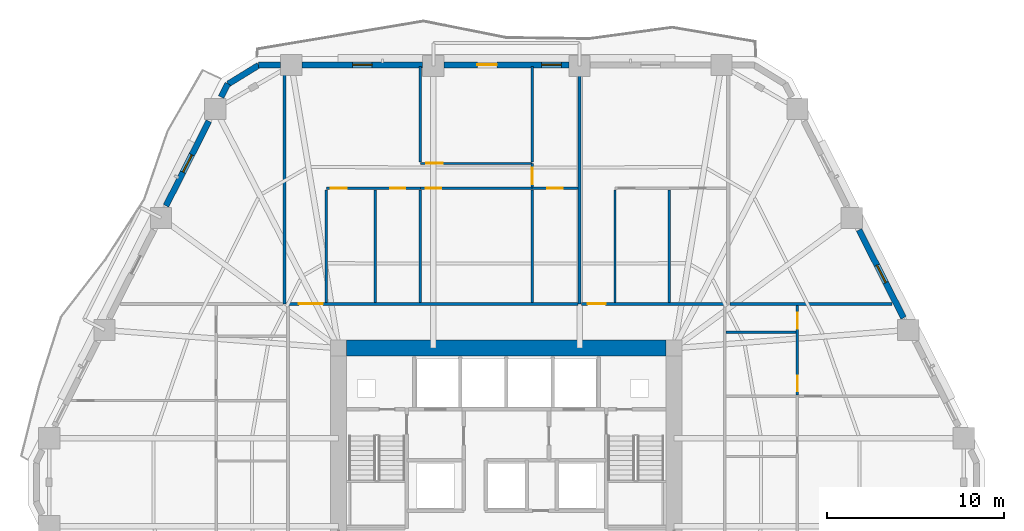
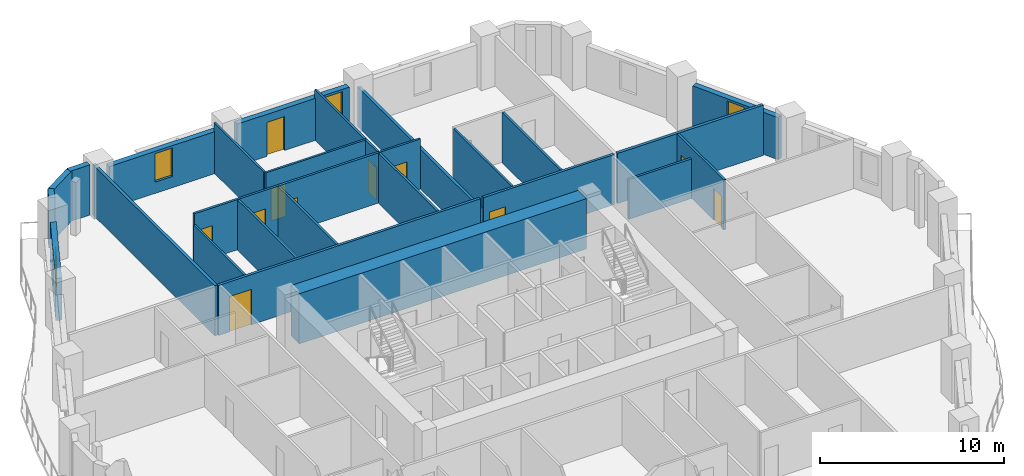
# One storey, part 7 of 14: 28 walls, 11 doors, 4 windows, 15 openings.
"""IFC4 building model written with IfcOpenShell, lengths in metres."""

from ifc_helpers import new_model, si_unit, direction, frame, frame_2d, origin, place, context, subcontext, project, spatial, rectangle, extrude, material, layer, layer_set, type_object, element, fill, save


model = new_model("IFC4")

# Units and contexts
model_context = context("Model", 3, precision=1e-05, world=origin(), true_north=direction((0.0, 1.0)))
body_context = subcontext(model_context, "Body", "Model", "MODEL_VIEW")
ifc_project = project(units=[si_unit("LENGTHUNIT", "METRE"), si_unit("AREAUNIT", "SQUARE_METRE"), si_unit("VOLUMEUNIT", "CUBIC_METRE"), si_unit("PLANEANGLEUNIT", "RADIAN"), si_unit("MASSUNIT", "GRAM", prefix="KILO")], contexts=[model_context])

# Site, building, storey
site_placement = place(None, origin())
site = spatial("IfcSite", under=ifc_project, at=site_placement, CompositionType="ELEMENT")
building_placement = place(site_placement, origin())
building = spatial("IfcBuilding", under=site, at=building_placement, Name="Cinnabar Lancet Tower", CompositionType="ELEMENT")
storey_placement = place(building_placement, frame((0.0, 0.0, 53.300048828125)))
storey = spatial("IfcBuildingStorey", under=building, at=storey_placement, Name="L13", CompositionType="ELEMENT", Elevation=53.300048828125)

# Wall, opening, door
ifc_material_1 = material(Name="Acoustic twin-stud gypsum partition", Category="gypsum")
ifc_layer_1 = layer(ifc_material_1, 0.159912109375)
ifc_layer_set_1 = layer_set([ifc_layer_1], Name="Acoustic twin-stud gypsum partition")
wall_type_1 = type_object("IfcWallType", Name="ARC-WL-CORR-160", PredefinedType="PARTITIONING", material=ifc_layer_set_1)
wall_1_placement = place(storey_placement, frame((19.9951171875, 35.85009765625, 0.0), z_axis=(0.0, 0.0, 1.0), x_axis=(1.0, 0.0, 0.0)))
wall_1 = element("IfcWall", 1, at=wall_1_placement, inside=storey, type_object=wall_type_1, Name="L13 Unit N01 Corridor Wall", PredefinedType="PARTITIONING", context=body_context, shape_type="SweptSolid", body=[
    extrude(rectangle(XDim=16.431884765625, YDim=0.159912109375, at=frame_2d((8.2158203125, 0.0))), origin(), (0.0, 0.0, 1.0), 3.329833984375),
])
opening_1_placement = place(wall_1_placement, frame((0.705078125, 0.0, 0.0)))
opening_1 = element("IfcOpeningElement", 2, at=opening_1_placement, cuts=wall_1, Name="Opening UD-02", PredefinedType="OPENING", context=body_context, shape_type="SweptSolid", body=[
    extrude(rectangle(XDim=1.35009765625, YDim=2.35009765625, at=frame_2d((0.675048828125, 1.175048828125))), frame((0.0, 0.08984375, 0.0), z_axis=(0.0, -1.0, 0.0), x_axis=(1.0, 0.0, 0.0)), (0.0, 0.0, 1.0), 0.179931640625),
])
ifc_material_2 = material(Name="Double-leaf solid timber penthouse entrance door", Category="wood")
door_type_1 = type_object("IfcDoorType", Name="ARC-DR-UNIT-PH", OperationType="NOTDEFINED", PredefinedType="DOOR", material=ifc_material_2)
door_1_placement = place(opening_1_placement, origin())
door_1 = element("IfcDoor", 3, at=door_1_placement, inside=storey, type_object=door_type_1, Name="DR-L13-N01-ENT", OperationType="SINGLE_SWING_RIGHT", OverallHeight=2.35009765625, OverallWidth=1.35009765625, PredefinedType="DOOR", context=body_context, shape_type="SweptSolid", body=[
    extrude(rectangle(XDim=1.35009765625, YDim=2.35009765625, at=frame_2d((0.675048828125, 1.175048828125))), frame((0.0, 0.02490234375, 0.0), z_axis=(0.0, -1.0, 0.0), x_axis=(1.0, 0.0, 0.0)), (0.0, 0.0, 1.0), 0.050048828125),
])
fill(opening_1, door_1)

wall_2_placement = place(storey_placement, frame((36.616943359375, 35.85009765625, 0.0), z_axis=(0.0, 0.0, 1.0), x_axis=(1.0, 0.0, 0.0)))
wall_2 = element("IfcWall", 4, at=wall_2_placement, inside=storey, type_object=wall_type_1, Name="L13 Unit N02 Corridor Wall", PredefinedType="PARTITIONING", context=body_context, shape_type="SweptSolid", body=[
    extrude(rectangle(XDim=8.18798828125, YDim=0.159912109375, at=frame_2d((4.093994140625, 0.0))), origin(), (0.0, 0.0, 1.0), 3.329833984375),
])
opening_2_placement = place(wall_2_placement, frame((0.35498046875, 0.0, 0.0)))
opening_2 = element("IfcOpeningElement", 5, at=opening_2_placement, cuts=wall_2, Name="Opening UD-01", PredefinedType="OPENING", context=body_context, shape_type="SweptSolid", body=[
    extrude(rectangle(XDim=1.02001953125, YDim=2.25, at=frame_2d((0.510009765625, 1.125))), frame((0.0, 0.08984375, 0.0), z_axis=(0.0, -1.0, 0.0), x_axis=(1.0, 0.0, 0.0)), (0.0, 0.0, 1.0), 0.179931640625),
])
ifc_material_3 = material(Name="Solid timber fire-rated apartment entrance door", Category="wood")
door_type_2 = type_object("IfcDoorType", Name="ARC-DR-UNIT", OperationType="NOTDEFINED", PredefinedType="DOOR", material=ifc_material_3)
door_2_placement = place(opening_2_placement, origin())
door_2 = element("IfcDoor", 6, at=door_2_placement, inside=storey, type_object=door_type_2, Name="DR-L13-N02-ENT", OperationType="SINGLE_SWING_LEFT", OverallHeight=2.25, OverallWidth=1.02001953125, PredefinedType="DOOR", context=body_context, shape_type="SweptSolid", body=[
    extrude(rectangle(XDim=1.02001953125, YDim=2.25, at=frame_2d((0.510009765625, 1.125))), frame((0.0, 0.02490234375, 0.0), z_axis=(0.0, -1.0, 0.0), x_axis=(1.0, 0.0, 0.0)), (0.0, 0.0, 1.0), 0.050048828125),
])
fill(opening_2, door_2)

# Walls
ifc_material_4 = material(Name="Fire-rated twin-frame acoustic drywall", Category="gypsum")
ifc_layer_2 = layer(ifc_material_4, 0.179931640625)
ifc_layer_set_2 = layer_set([ifc_layer_2], Name="Fire-rated twin-frame acoustic drywall")
wall_type_2 = type_object("IfcWallType", Name="ARC-WL-PARTY-180", PredefinedType="PARTITIONING", material=ifc_layer_set_2)
wall_3_placement = place(storey_placement, frame((19.89990234375, 35.85009765625, 0.0), z_axis=(0.0, 0.0, 1.0), x_axis=(0.0, 1.0, 0.0)))
element("IfcWall", 7, at=wall_3_placement, inside=storey, type_object=wall_type_2, Name="PW-L13-NPTY-199", PredefinedType="PARTITIONING", context=body_context, shape_type="SweptSolid", body=[
    extrude(rectangle(XDim=13.294921875, YDim=0.179931640625, at=frame_2d((6.6474609375, 0.0))), origin(), (0.0, 0.0, 1.0), 3.329833984375),
])
wall_4_placement = place(storey_placement, frame((36.52197265625, 35.85009765625, 0.0), z_axis=(0.0, 0.0, 1.0), x_axis=(0.0, 1.0, 0.0)))
element("IfcWall", 8, at=wall_4_placement, inside=storey, type_object=wall_type_2, Name="PW-L13-NPTY-365", PredefinedType="PARTITIONING", context=body_context, shape_type="SweptSolid", body=[
    extrude(rectangle(XDim=13.294921875, YDim=0.179931640625, at=frame_2d((6.6474609375, 0.0))), origin(), (0.0, 0.0, 1.0), 2.636962890625),
])
wall_5_placement = place(storey_placement, frame((44.9951171875, 35.85009765625, 0.0), z_axis=(0.0, 0.0, 1.0), x_axis=(1.0, 0.0, 0.0)))
element("IfcWall", 9, at=wall_5_placement, inside=storey, type_object=wall_type_2, Name="PW-L13-ENB", PredefinedType="PARTITIONING", context=body_context, shape_type="SweptSolid", body=[
    extrude(rectangle(XDim=9.139892578125, YDim=0.179931640625, at=frame_2d((4.56982421875, 0.0))), origin(), (0.0, 0.0, 1.0), 3.329833984375),
])
ifc_material_5 = material(Name="Gypsum plasterboard stud partition", Category="gypsum")
ifc_layer_3 = layer(ifc_material_5, 0.125)
ifc_layer_set_3 = layer_set([ifc_layer_3], Name="Gypsum plasterboard stud partition")
wall_type_3 = type_object("IfcWallType", Name="ARC-WL-UNIT-125", PredefinedType="PARTITIONING", material=ifc_layer_set_3)
wall_6_placement = place(storey_placement, frame((22.25, 35.93505859375, 0.0), z_axis=(0.0, 0.0, 1.0), x_axis=(0.0, 1.0, 0.0)))
element("IfcWall", 10, at=wall_6_placement, inside=storey, type_object=wall_type_3, Name="UW-L13-N01-FOYE", PredefinedType="PARTITIONING", context=body_context, shape_type="SweptSolid", body=[
    extrude(rectangle(XDim=6.324951171875, YDim=0.125, at=frame_2d((3.16259765625, 0.0))), origin(), (0.0, 0.0, 1.0), 2.636962890625),
])

# Wall, opening, door
wall_7_placement = place(storey_placement, frame((33.85009765625, 42.364990234375, 0.0), z_axis=(0.0, 0.0, 1.0), x_axis=(1.0, 0.0, 0.0)))
wall_7 = element("IfcWall", 11, at=wall_7_placement, inside=storey, type_object=wall_type_3, Name="UW-L13-N01-SP2", PredefinedType="PARTITIONING", context=body_context, shape_type="SweptSolid", body=[
    extrude(rectangle(XDim=2.576904296875, YDim=0.125, at=frame_2d((1.28857421875, 0.0))), origin(), (0.0, 0.0, 1.0), 3.329833984375),
])
opening_3_placement = place(wall_7_placement, frame((0.863037109375, 0.0, 0.0)))
opening_3 = element("IfcOpeningElement", 12, at=opening_3_placement, cuts=wall_7, Name="Opening BD-01", PredefinedType="OPENING", context=body_context, shape_type="SweptSolid", body=[
    extrude(rectangle(XDim=0.860107421875, YDim=2.10009765625, at=frame_2d((0.43017578125, 1.050048828125))), frame((0.0, 0.072509765625, 0.0), z_axis=(0.0, -1.0, 0.0), x_axis=(1.0, 0.0, 0.0)), (0.0, 0.0, 1.0), 0.14501953125),
])
ifc_material_6 = material(Name="Moisture-resistant timber bathroom door", Category="wood")
door_type_3 = type_object("IfcDoorType", Name="ARC-DR-BATH", OperationType="NOTDEFINED", PredefinedType="DOOR", material=ifc_material_6)
door_3_placement = place(opening_3_placement, origin())
door_3 = element("IfcDoor", 13, at=door_3_placement, inside=storey, type_object=door_type_3, Name="DR-L13-N01-ENS", OperationType="SINGLE_SWING_RIGHT", OverallHeight=2.10009765625, OverallWidth=0.860107421875, PredefinedType="DOOR", context=body_context, shape_type="SweptSolid", body=[
    extrude(rectangle(XDim=0.860107421875, YDim=2.10009765625, at=frame_2d((0.43017578125, 1.050048828125))), frame((0.0, 0.02490234375, 0.0), z_axis=(0.0, -1.0, 0.0), x_axis=(1.0, 0.0, 0.0)), (0.0, 0.0, 1.0), 0.050048828125),
])
fill(opening_3, door_3)

# Wall
wall_8_placement = place(storey_placement, frame((27.5458984375, 43.830078125, 0.0), z_axis=(0.0, 0.0, 1.0), x_axis=(0.0, 1.0, 0.0)))
element("IfcWall", 14, at=wall_8_placement, inside=storey, type_object=wall_type_3, Name="UW-L13-N01-BD2W", PredefinedType="PARTITIONING", context=body_context, shape_type="SweptSolid", body=[
    extrude(rectangle(XDim=5.405029296875, YDim=0.125, at=frame_2d((2.70263671875, 0.0))), origin(), (0.0, 0.0, 1.0), 3.329833984375),
])

# Wall, opening, door
wall_9_placement = place(storey_placement, frame((27.5458984375, 43.764892578125, 0.0), z_axis=(0.0, 0.0, 1.0), x_axis=(1.0, 0.0, 0.0)))
wall_9 = element("IfcWall", 15, at=wall_9_placement, inside=storey, type_object=wall_type_3, Name="UW-L13-N01-HLN", PredefinedType="PARTITIONING", context=body_context, shape_type="SweptSolid", body=[
    extrude(rectangle(XDim=6.30419921875, YDim=0.125, at=frame_2d((3.152099609375, 0.0))), origin(), (0.0, 0.0, 1.0), 3.329833984375),
])
opening_4_placement = place(wall_9_placement, frame((0.35009765625, 0.0, 0.0)))
opening_4 = element("IfcOpeningElement", 16, at=opening_4_placement, cuts=wall_9, Name="Opening RD-01", PredefinedType="OPENING", context=body_context, shape_type="SweptSolid", body=[
    extrude(rectangle(XDim=0.919921875, YDim=2.14990234375, at=frame_2d((0.4599609375, 1.074951171875))), frame((0.0, 0.072509765625, 0.0), z_axis=(0.0, -1.0, 0.0), x_axis=(1.0, 0.0, 0.0)), (0.0, 0.0, 1.0), 0.14501953125),
])
ifc_material_7 = material(Name="Engineered timber bedroom door", Category="wood")
door_type_4 = type_object("IfcDoorType", Name="ARC-DR-ROOM", OperationType="NOTDEFINED", PredefinedType="DOOR", material=ifc_material_7)
door_4_placement = place(opening_4_placement, origin())
door_4 = element("IfcDoor", 17, at=door_4_placement, inside=storey, type_object=door_type_4, Name="DR-L13-N01-BD2", OperationType="SINGLE_SWING_LEFT", OverallHeight=2.14990234375, OverallWidth=0.919921875, PredefinedType="DOOR", context=body_context, shape_type="SweptSolid", body=[
    extrude(rectangle(XDim=0.919921875, YDim=2.14990234375, at=frame_2d((0.4599609375, 1.074951171875))), frame((0.0, 0.02490234375, 0.0), z_axis=(0.0, -1.0, 0.0), x_axis=(1.0, 0.0, 0.0)), (0.0, 0.0, 1.0), 0.050048828125),
])
fill(opening_4, door_4)

wall_10_placement = place(storey_placement, frame((33.85009765625, 42.43505859375, 0.0), z_axis=(0.0, 0.0, 1.0), x_axis=(0.0, 1.0, 0.0)))
wall_10 = element("IfcWall", 18, at=wall_10_placement, inside=storey, type_object=wall_type_3, Name="UW-L13-N01-MBE", PredefinedType="PARTITIONING", context=body_context, shape_type="SweptSolid", body=[
    extrude(rectangle(XDim=1.329833984375, YDim=0.125, at=frame_2d((0.6650390625, 0.0))), origin(), (0.0, 0.0, 1.0), 3.329833984375),
])
opening_5_placement = place(wall_10_placement, frame((0.159912109375, 0.0, 0.0)))
opening_5 = element("IfcOpeningElement", 19, at=opening_5_placement, cuts=wall_10, Name="Opening RD-01", PredefinedType="OPENING", context=body_context, shape_type="SweptSolid", body=[
    extrude(rectangle(XDim=0.919921875, YDim=2.14990234375, at=frame_2d((0.4599609375, 1.074951171875))), frame((0.0, 0.072509765625, 0.0), z_axis=(0.0, -1.0, 0.0), x_axis=(1.0, 0.0, 0.0)), (0.0, 0.0, 1.0), 0.14501953125),
])
door_5_placement = place(opening_5_placement, origin())
door_5 = element("IfcDoor", 20, at=door_5_placement, inside=storey, type_object=door_type_4, Name="DR-L13-N01-MBD", OperationType="SINGLE_SWING_LEFT", OverallHeight=2.14990234375, OverallWidth=0.919921875, PredefinedType="DOOR", context=body_context, shape_type="SweptSolid", body=[
    extrude(rectangle(XDim=0.919921875, YDim=2.14990234375, at=frame_2d((0.4599609375, 1.074951171875))), frame((0.0, 0.02490234375, 0.0), z_axis=(0.0, -1.0, 0.0), x_axis=(1.0, 0.0, 0.0)), (0.0, 0.0, 1.0), 0.050048828125),
])
fill(opening_5, door_5)

# Walls
wall_11_placement = place(storey_placement, frame((33.85009765625, 43.830078125, 0.0), z_axis=(0.0, 0.0, 1.0), x_axis=(0.0, 1.0, 0.0)))
element("IfcWall", 21, at=wall_11_placement, inside=storey, type_object=wall_type_3, Name="UW-L13-N01-MB2W", PredefinedType="PARTITIONING", context=body_context, shape_type="SweptSolid", body=[
    extrude(rectangle(XDim=5.405029296875, YDim=0.125, at=frame_2d((2.70263671875, 0.0))), origin(), (0.0, 0.0, 1.0), 3.329833984375),
])
wall_12_placement = place(storey_placement, frame((38.52197265625, 35.93505859375, 0.0), z_axis=(0.0, 0.0, 1.0), x_axis=(0.0, 1.0, 0.0)))
element("IfcWall", 22, at=wall_12_placement, inside=storey, type_object=wall_type_3, Name="UW-L13-N02-FOYE", PredefinedType="PARTITIONING", context=body_context, shape_type="SweptSolid", body=[
    extrude(rectangle(XDim=6.324951171875, YDim=0.125, at=frame_2d((3.16259765625, 0.0))), origin(), (0.0, 0.0, 1.0), 3.329833984375),
])

# Wall, openings, doors
ifc_material_8 = material(Name="Moisture-resistant cement-board plumbing wall", Category="masonry")
ifc_layer_4 = layer(ifc_material_8, 0.139892578125)
ifc_layer_set_4 = layer_set([ifc_layer_4], Name="Moisture-resistant cement-board plumbing wall")
wall_type_4 = type_object("IfcWallType", Name="ARC-WL-WET-140", PredefinedType="PLUMBINGWALL", material=ifc_layer_set_4)
wall_13_placement = place(storey_placement, frame((22.25, 42.364990234375, 0.0), z_axis=(0.0, 0.0, 1.0), x_axis=(1.0, 0.0, 0.0)))
wall_13 = element("IfcWall", 23, at=wall_13_placement, inside=storey, type_object=wall_type_4, Name="UW-L13-N01-SPL", PredefinedType="PLUMBINGWALL", context=body_context, shape_type="SweptSolid", body=[
    extrude(rectangle(XDim=5.2958984375, YDim=0.139892578125, at=frame_2d((2.64794921875, 0.0))), origin(), (0.0, 0.0, 1.0), 3.329833984375),
])
opening_6_placement = place(wall_13_placement, frame((3.60009765625, 0.0, 0.0)))
opening_6 = element("IfcOpeningElement", 24, at=opening_6_placement, cuts=wall_13, Name="Opening BD-01", PredefinedType="OPENING", context=body_context, shape_type="SweptSolid", body=[
    extrude(rectangle(XDim=0.860107421875, YDim=2.10009765625, at=frame_2d((0.43017578125, 1.050048828125))), frame((0.0, 0.079833984375, 0.0), z_axis=(0.0, -1.0, 0.0), x_axis=(1.0, 0.0, 0.0)), (0.0, 0.0, 1.0), 0.159912109375),
])
opening_7_placement = place(wall_13_placement, frame((0.260009765625, 0.0, 0.0)))
opening_7 = element("IfcOpeningElement", 25, at=opening_7_placement, cuts=wall_13, Name="Opening RD-02", PredefinedType="OPENING", context=body_context, shape_type="SweptSolid", body=[
    extrude(rectangle(XDim=0.8798828125, YDim=2.14990234375, at=frame_2d((0.43994140625, 1.074951171875))), frame((0.0, 0.079833984375, 0.0), z_axis=(0.0, -1.0, 0.0), x_axis=(1.0, 0.0, 0.0)), (0.0, 0.0, 1.0), 0.159912109375),
])
door_6_placement = place(opening_6_placement, origin())
door_6 = element("IfcDoor", 26, at=door_6_placement, inside=storey, type_object=door_type_3, Name="DR-L13-N01-BTH", OperationType="SINGLE_SWING_RIGHT", OverallHeight=2.10009765625, OverallWidth=0.860107421875, PredefinedType="DOOR", context=body_context, shape_type="SweptSolid", body=[
    extrude(rectangle(XDim=0.860107421875, YDim=2.10009765625, at=frame_2d((0.43017578125, 1.050048828125))), frame((0.0, 0.02490234375, 0.0), z_axis=(0.0, -1.0, 0.0), x_axis=(1.0, 0.0, 0.0)), (0.0, 0.0, 1.0), 0.050048828125),
])
fill(opening_6, door_6)
ifc_material_9 = material(Name="Engineered timber study door", Category="wood")
door_type_5 = type_object("IfcDoorType", Name="ARC-DR-STUDY", OperationType="NOTDEFINED", PredefinedType="DOOR", material=ifc_material_9)
door_7_placement = place(opening_7_placement, origin())
door_7 = element("IfcDoor", 27, at=door_7_placement, inside=storey, type_object=door_type_5, Name="DR-L13-N01-KIT", OperationType="SINGLE_SWING_LEFT", OverallHeight=2.14990234375, OverallWidth=0.8798828125, PredefinedType="DOOR", context=body_context, shape_type="SweptSolid", body=[
    extrude(rectangle(XDim=0.8798828125, YDim=2.14990234375, at=frame_2d((0.43994140625, 1.074951171875))), frame((0.0, 0.02490234375, 0.0), z_axis=(0.0, -1.0, 0.0), x_axis=(1.0, 0.0, 0.0)), (0.0, 0.0, 1.0), 0.050048828125),
])
fill(opening_7, door_7)

# Wall, opening, door
wall_14_placement = place(storey_placement, frame((27.5458984375, 42.364990234375, 0.0), z_axis=(0.0, 0.0, 1.0), x_axis=(1.0, 0.0, 0.0)))
wall_14 = element("IfcWall", 28, at=wall_14_placement, inside=storey, type_object=wall_type_4, Name="UW-L13-N01-SPM", PredefinedType="PLUMBINGWALL", context=body_context, shape_type="SweptSolid", body=[
    extrude(rectangle(XDim=6.30419921875, YDim=0.139892578125, at=frame_2d((3.152099609375, 0.0))), origin(), (0.0, 0.0, 1.0), 3.329833984375),
])
opening_8_placement = place(wall_14_placement, frame((0.300048828125, 0.0, 0.0)))
opening_8 = element("IfcOpeningElement", 29, at=opening_8_placement, cuts=wall_14, Name="Opening RD-02", PredefinedType="OPENING", context=body_context, shape_type="SweptSolid", body=[
    extrude(rectangle(XDim=0.8798828125, YDim=2.14990234375, at=frame_2d((0.43994140625, 1.074951171875))), frame((0.0, 0.079833984375, 0.0), z_axis=(0.0, -1.0, 0.0), x_axis=(1.0, 0.0, 0.0)), (0.0, 0.0, 1.0), 0.159912109375),
])
door_8_placement = place(opening_8_placement, origin())
door_8 = element("IfcDoor", 30, at=door_8_placement, inside=storey, type_object=door_type_5, Name="DR-L13-N01-UTL", OperationType="SINGLE_SWING_RIGHT", OverallHeight=2.14990234375, OverallWidth=0.8798828125, PredefinedType="DOOR", context=body_context, shape_type="SweptSolid", body=[
    extrude(rectangle(XDim=0.8798828125, YDim=2.14990234375, at=frame_2d((0.43994140625, 1.074951171875))), frame((0.0, 0.02490234375, 0.0), z_axis=(0.0, -1.0, 0.0), x_axis=(1.0, 0.0, 0.0)), (0.0, 0.0, 1.0), 0.050048828125),
])
fill(opening_8, door_8)

# Walls
for number, where, z_axis, x_axis, name in (
    (31, (25.00390625, 35.93505859375, 0.0), (0.0, 0.0, 1.0), (0.0, 1.0, 0.0), "UW-L13-N01-KDV"),
    (32, (27.5458984375, 35.93505859375, 0.0), (0.0, 0.0, 1.0), (0.0, 1.0, 0.0), "UW-L13-N01-ENSW"),
    (33, (33.85009765625, 35.93505859375, 0.0), (0.0, 0.0, 1.0), (0.0, 1.0, 0.0), "UW-L13-N01-ENSE"),
    (34, (41.5830078125, 35.93505859375, 0.0), (0.0, 0.0, 1.0), (0.0, 1.0, 0.0), "UW-L13-N02-KDV"),
):
    element("IfcWall", number, at=place(storey_placement, frame(where, z_axis=z_axis, x_axis=x_axis)), inside=storey, type_object=wall_type_4, Name=name, PredefinedType="PLUMBINGWALL", context=body_context, shape_type="SweptSolid", body=[
        extrude(rectangle(XDim=6.324951171875, YDim=0.139892578125, at=frame_2d((3.16259765625, 0.0))), origin(), (0.0, 0.0, 1.0), 3.329833984375),
    ])

# Wall, openings, doors
wall_15_placement = place(storey_placement, frame((48.800048828125, 30.718994140625, 0.0), z_axis=(0.0, 0.0, 1.0), x_axis=(0.0, 1.0, 0.0)))
wall_15 = element("IfcWall", 35, at=wall_15_placement, inside=storey, type_object=wall_type_4, Name="UW-L13-E01-SPM", PredefinedType="PLUMBINGWALL", context=body_context, shape_type="SweptSolid", body=[
    extrude(rectangle(XDim=5.035888671875, YDim=0.139892578125, at=frame_2d((2.51806640625, 0.0))), origin(), (0.0, 0.0, 1.0), 3.329833984375),
])
opening_9_placement = place(wall_15_placement, frame((0.219970703125, 0.0, 0.0)))
opening_9 = element("IfcOpeningElement", 36, at=opening_9_placement, cuts=wall_15, Name="Opening BD-01", PredefinedType="OPENING", context=body_context, shape_type="SweptSolid", body=[
    extrude(rectangle(XDim=0.860107421875, YDim=2.10009765625, at=frame_2d((0.43017578125, 1.050048828125))), frame((0.0, 0.079833984375, 0.0), z_axis=(0.0, -1.0, 0.0), x_axis=(1.0, 0.0, 0.0)), (0.0, 0.0, 1.0), 0.159912109375),
])
opening_10_placement = place(wall_15_placement, frame((3.739990234375, 0.0, 0.0)))
opening_10 = element("IfcOpeningElement", 37, at=opening_10_placement, cuts=wall_15, Name="Opening RD-02", PredefinedType="OPENING", context=body_context, shape_type="SweptSolid", body=[
    extrude(rectangle(XDim=0.8798828125, YDim=2.14990234375, at=frame_2d((0.43994140625, 1.074951171875))), frame((0.0, 0.079833984375, 0.0), z_axis=(0.0, -1.0, 0.0), x_axis=(1.0, 0.0, 0.0)), (0.0, 0.0, 1.0), 0.159912109375),
])
door_9_placement = place(opening_9_placement, origin())
door_9 = element("IfcDoor", 38, at=door_9_placement, inside=storey, type_object=door_type_3, Name="DR-L13-E01-ENS", OperationType="SINGLE_SWING_RIGHT", OverallHeight=2.10009765625, OverallWidth=0.860107421875, PredefinedType="DOOR", context=body_context, shape_type="SweptSolid", body=[
    extrude(rectangle(XDim=0.860107421875, YDim=2.10009765625, at=frame_2d((0.43017578125, 1.050048828125))), frame((0.0, 0.02490234375, 0.0), z_axis=(0.0, -1.0, 0.0), x_axis=(1.0, 0.0, 0.0)), (0.0, 0.0, 1.0), 0.050048828125),
])
fill(opening_9, door_9)
door_10_placement = place(opening_10_placement, origin())
door_10 = element("IfcDoor", 39, at=door_10_placement, inside=storey, type_object=door_type_5, Name="DR-L13-E01-EWDR", OperationType="SINGLE_SWING_LEFT", OverallHeight=2.14990234375, OverallWidth=0.8798828125, PredefinedType="DOOR", context=body_context, shape_type="SweptSolid", body=[
    extrude(rectangle(XDim=0.8798828125, YDim=2.14990234375, at=frame_2d((0.43994140625, 1.074951171875))), frame((0.0, 0.02490234375, 0.0), z_axis=(0.0, -1.0, 0.0), x_axis=(1.0, 0.0, 0.0)), (0.0, 0.0, 1.0), 0.050048828125),
])
fill(opening_10, door_10)

# Walls
wall_16_placement = place(storey_placement, frame((44.784912109375, 34.239013671875, 0.0), z_axis=(0.0, 0.0, 1.0), x_axis=(1.0, 0.0, 0.0)))
element("IfcWall", 40, at=wall_16_placement, inside=storey, type_object=wall_type_4, Name="UW-L13-E01-EWDV", PredefinedType="PLUMBINGWALL", context=body_context, shape_type="SweptSolid", body=[
    extrude(rectangle(XDim=3.93017578125, YDim=0.139892578125, at=frame_2d((1.965087890625, 0.0))), origin(), (0.0, 0.0, 1.0), 2.636962890625),
])
ifc_material_10 = material(Name="Cinnabar red clay brick", Category="masonry")
ifc_layer_5 = layer(ifc_material_10, 0.340087890625)
ifc_layer_set_5 = layer_set([ifc_layer_5], Name="Cinnabar red clay brick")
wall_type_5 = type_object("IfcWallType", Name="ENV-WL-BRK-RED-340", PredefinedType="STANDARD", material=ifc_layer_set_5)
wall_17_placement = place(storey_placement, frame((18.43896484375, 49.294921875, 0.0), z_axis=(0.0, 0.0, 1.0), x_axis=(-0.851870104345, -0.523753114857, 0.0)))
element("IfcWall", 41, at=wall_17_placement, inside=storey, type_object=wall_type_5, Name="L13 Chamfered Corner Brick Pier 5.1", PredefinedType="STANDARD", context=body_context, shape_type="SweptSolid", body=[
    extrude(rectangle(XDim=2.017822265625, YDim=0.340087890625, at=frame_2d((1.0087890625, 0.0))), origin(), (0.0, 0.0, 1.0), 3.329833984375),
])

# Wall, opening, window
wall_18_placement = place(storey_placement, frame((54.77587890625, 35.06103515625, 0.0), z_axis=(0.0, 0.0, 1.0), x_axis=(-0.451592100298, 0.892224509273, 0.0)))
wall_18 = element("IfcWall", 42, at=wall_18_placement, inside=storey, type_object=wall_type_5, Name="L13 Face 3 Masonry Bay Wall 3", PredefinedType="STANDARD", context=body_context, shape_type="SweptSolid", body=[
    extrude(rectangle(XDim=5.546875, YDim=0.340087890625, at=frame_2d((2.7734375, 0.0))), origin(), (0.0, 0.0, 1.0), 2.786865234375),
])
opening_11_placement = place(wall_18_placement, frame((2.222900390625, 0.0, 0.75)))
opening_11 = element("IfcOpeningElement", 43, at=opening_11_placement, cuts=wall_18, Name="Opening WN-04", PredefinedType="OPENING", context=body_context, shape_type="SweptSolid", body=[
    extrude(rectangle(XDim=1.10009765625, YDim=1.886962890625, at=frame_2d((0.550048828125, 0.943359375))), frame((0.0, 0.179931640625, 0.0), z_axis=(0.0, -1.0, 0.0), x_axis=(1.0, 0.0, 0.0)), (0.0, 0.0, 1.0), 0.360107421875),
])
ifc_material_11 = material(Name="Thermally broken bronze-anodized aluminium tall lancet window", Category="aluminium")
window_type = type_object("IfcWindowType", Name="ENV-WN-LANCET-1100", PartitioningType="SINGLE_PANEL", PredefinedType="WINDOW", material=ifc_material_11)
window_1_placement = place(opening_11_placement, origin())
window_1 = element("IfcWindow", 44, at=window_1_placement, inside=storey, type_object=window_type, Name="L13 Face 3 Gothic Lancet Window 3", OverallHeight=1.886962890625, OverallWidth=1.10009765625, PartitioningType="SINGLE_PANEL", PredefinedType="WINDOW", context=body_context, shape_type="SweptSolid", body=[
    extrude(rectangle(XDim=1.10009765625, YDim=1.886962890625, at=frame_2d((0.550048828125, 0.943359375))), frame((0.0, 0.030029296875, 0.0), z_axis=(0.0, -1.0, 0.0), x_axis=(1.0, 0.0, 0.0)), (0.0, 0.0, 1.0), 0.06005859375),
])
fill(opening_11, window_1)

# Wall, openings, door, window
wall_19_placement = place(storey_placement, frame((35.91796875, 49.320068359375, 0.0), z_axis=(0.0, 0.0, 1.0), x_axis=(-1.0, 0.0, 0.0)))
wall_19 = element("IfcWall", 45, at=wall_19_placement, inside=storey, type_object=wall_type_5, Name="L13 Face 4 Masonry Bay Wall 3", PredefinedType="STANDARD", context=body_context, shape_type="SweptSolid", body=[
    extrude(rectangle(XDim=7.035888671875, YDim=0.340087890625, at=frame_2d((3.51806640625, 0.0))), origin(), (0.0, 0.0, 1.0), 2.786865234375),
])
opening_12_placement = place(wall_19_placement, frame((4.052978515625, 0.0, 0.0)))
opening_12 = element("IfcOpeningElement", 46, at=opening_12_placement, cuts=wall_19, Name="Opening TD-01", PredefinedType="OPENING", context=body_context, shape_type="SweptSolid", body=[
    extrude(rectangle(XDim=1.10009765625, YDim=2.25, at=frame_2d((0.550048828125, 1.125))), frame((0.0, 0.179931640625, 0.0), z_axis=(0.0, -1.0, 0.0), x_axis=(1.0, 0.0, 0.0)), (0.0, 0.0, 1.0), 0.360107421875),
])
opening_13_placement = place(wall_19_placement, frame((0.427978515625, 0.0, 0.75)))
opening_13 = element("IfcOpeningElement", 47, at=opening_13_placement, cuts=wall_19, Name="Opening WN-04", PredefinedType="OPENING", context=body_context, shape_type="SweptSolid", body=[
    extrude(rectangle(XDim=1.10009765625, YDim=1.886962890625, at=frame_2d((0.550048828125, 0.943359375))), frame((0.0, 0.179931640625, 0.0), z_axis=(0.0, -1.0, 0.0), x_axis=(1.0, 0.0, 0.0)), (0.0, 0.0, 1.0), 0.360107421875),
])
ifc_material_12 = material(Name="Thermally broken low-E glazed balcony terrace door", Category="wood")
door_type_6 = type_object("IfcDoorType", Name="ARC-DR-BALC", OperationType="NOTDEFINED", PredefinedType="DOOR", material=ifc_material_12)
door_11_placement = place(opening_12_placement, origin())
door_11 = element("IfcDoor", 48, at=door_11_placement, inside=storey, type_object=door_type_6, Name="L13 Face 4 Glazed Terrace Door", OperationType="SINGLE_SWING_RIGHT", OverallHeight=2.25, OverallWidth=1.10009765625, PredefinedType="DOOR", context=body_context, shape_type="SweptSolid", body=[
    extrude(rectangle(XDim=1.10009765625, YDim=2.25, at=frame_2d((0.550048828125, 1.125))), frame((0.0, 0.02490234375, 0.0), z_axis=(0.0, -1.0, 0.0), x_axis=(1.0, 0.0, 0.0)), (0.0, 0.0, 1.0), 0.050048828125),
])
fill(opening_12, door_11)
window_2_placement = place(opening_13_placement, origin())
window_2 = element("IfcWindow", 49, at=window_2_placement, inside=storey, type_object=window_type, Name="L13 Split-Bay Gothic Lancet Window 30", OverallHeight=1.886962890625, OverallWidth=1.10009765625, PartitioningType="SINGLE_PANEL", PredefinedType="WINDOW", context=body_context, shape_type="SweptSolid", body=[
    extrude(rectangle(XDim=1.10009765625, YDim=1.886962890625, at=frame_2d((0.550048828125, 0.943359375))), frame((0.0, 0.030029296875, 0.0), z_axis=(0.0, -1.0, 0.0), x_axis=(1.0, 0.0, 0.0)), (0.0, 0.0, 1.0), 0.06005859375),
])
fill(opening_13, window_2)

# Wall, opening, window
wall_20_placement = place(storey_placement, frame((27.674072265625, 49.320068359375, 0.0), z_axis=(0.0, 0.0, 1.0), x_axis=(-1.0, 0.0, 0.0)))
wall_20 = element("IfcWall", 50, at=wall_20_placement, inside=storey, type_object=wall_type_5, Name="L13 Face 4 Masonry Bay Wall 4", PredefinedType="STANDARD", context=body_context, shape_type="SweptSolid", body=[
    extrude(rectangle(XDim=6.787109375, YDim=0.340087890625, at=frame_2d((3.3935546875, 0.0))), origin(), (0.0, 0.0, 1.0), 2.786865234375),
])
opening_14_placement = place(wall_20_placement, frame((2.843017578125, 0.0, 0.75)))
opening_14 = element("IfcOpeningElement", 51, at=opening_14_placement, cuts=wall_20, Name="Opening WN-04", PredefinedType="OPENING", context=body_context, shape_type="SweptSolid", body=[
    extrude(rectangle(XDim=1.10009765625, YDim=1.886962890625, at=frame_2d((0.550048828125, 0.943359375))), frame((0.0, 0.179931640625, 0.0), z_axis=(0.0, -1.0, 0.0), x_axis=(1.0, 0.0, 0.0)), (0.0, 0.0, 1.0), 0.360107421875),
])
window_3_placement = place(opening_14_placement, origin())
window_3 = element("IfcWindow", 52, at=window_3_placement, inside=storey, type_object=window_type, Name="L13 Face 4 Gothic Lancet Window 4", OverallHeight=1.886962890625, OverallWidth=1.10009765625, PartitioningType="SINGLE_PANEL", PredefinedType="WINDOW", context=body_context, shape_type="SweptSolid", body=[
    extrude(rectangle(XDim=1.10009765625, YDim=1.886962890625, at=frame_2d((0.550048828125, 0.943359375))), frame((0.0, 0.030029296875, 0.0), z_axis=(0.0, -1.0, 0.0), x_axis=(1.0, 0.0, 0.0)), (0.0, 0.0, 1.0), 0.06005859375),
])
fill(opening_14, window_3)

# Walls
wall_21_placement = place(storey_placement, frame((19.678955078125, 49.320068359375, 0.0), z_axis=(0.0, 0.0, 1.0), x_axis=(-1.0, 0.0, 0.0)))
element("IfcWall", 53, at=wall_21_placement, inside=storey, type_object=wall_type_5, Name="L13 Face 4 Masonry Bay Wall 5", PredefinedType="STANDARD", context=body_context, shape_type="SweptSolid", body=[
    extrude(rectangle(XDim=1.244873046875, YDim=0.340087890625, at=frame_2d((0.62255859375, 0.0))), origin(), (0.0, 0.0, 1.0), 3.329833984375),
])
wall_22_placement = place(storey_placement, frame((16.699951171875, 48.25390625, 0.0), z_axis=(0.0, 0.0, 1.0), x_axis=(-0.451995771866, -0.892020079491, 0.0)))
element("IfcWall", 54, at=wall_22_placement, inside=storey, type_object=wall_type_5, Name="L13 Face 5 Masonry Bay Wall 1", PredefinedType="STANDARD", context=body_context, shape_type="SweptSolid", body=[
    extrude(rectangle(XDim=0.836181640625, YDim=0.340087890625, at=frame_2d((0.41796875, 0.0))), origin(), (0.0, 0.0, 1.0), 3.329833984375),
])

# Wall, opening, window
wall_23_placement = place(storey_placement, frame((15.634033203125, 46.14599609375, 0.0), z_axis=(0.0, 0.0, 1.0), x_axis=(-0.451697561555, -0.892171123095, 0.0)))
wall_23 = element("IfcWall", 55, at=wall_23_placement, inside=storey, type_object=wall_type_5, Name="L13 Face 5 Masonry Bay Wall 2", PredefinedType="STANDARD", context=body_context, shape_type="SweptSolid", body=[
    extrude(rectangle(XDim=5.350830078125, YDim=0.340087890625, at=frame_2d((2.67529296875, 0.0))), origin(), (0.0, 0.0, 1.0), 2.786865234375),
])
opening_15_placement = place(wall_23_placement, frame((2.125, 0.0, 0.75)))
opening_15 = element("IfcOpeningElement", 56, at=opening_15_placement, cuts=wall_23, Name="Opening WN-04", PredefinedType="OPENING", context=body_context, shape_type="SweptSolid", body=[
    extrude(rectangle(XDim=1.10009765625, YDim=1.886962890625, at=frame_2d((0.550048828125, 0.943359375))), frame((0.0, 0.179931640625, 0.0), z_axis=(0.0, -1.0, 0.0), x_axis=(1.0, 0.0, 0.0)), (0.0, 0.0, 1.0), 0.360107421875),
])
window_4_placement = place(opening_15_placement, origin())
window_4 = element("IfcWindow", 57, at=window_4_placement, inside=storey, type_object=window_type, Name="L13 Face 5 Gothic Lancet Window 2", OverallHeight=1.886962890625, OverallWidth=1.10009765625, PartitioningType="SINGLE_PANEL", PredefinedType="WINDOW", context=body_context, shape_type="SweptSolid", body=[
    extrude(rectangle(XDim=1.10009765625, YDim=1.886962890625, at=frame_2d((0.550048828125, 0.943359375))), frame((0.0, 0.030029296875, 0.0), z_axis=(0.0, -1.0, 0.0), x_axis=(1.0, 0.0, 0.0)), (0.0, 0.0, 1.0), 0.06005859375),
])
fill(opening_15, window_4)

# Wall
ifc_material_13 = material(Name="Concrete C80/95", Category="concrete")
ifc_layer_6 = layer(ifc_material_13, 0.89990234375)
ifc_layer_set_6 = layer_set([ifc_layer_6], Name="Concrete C80/95")
wall_type_6 = type_object("IfcWallType", Name="STR-WL-CORE-900", PredefinedType="SHEAR", material=ifc_layer_set_6)
wall_24_placement = place(storey_placement, frame((23.39990234375, 33.35009765625, 0.0), z_axis=(0.0, 0.0, 1.0), x_axis=(1.0, 0.0, 0.0)))
element("IfcWall", 58, at=wall_24_placement, inside=storey, type_object=wall_type_6, Name="L13 Core Shear Wall N", PredefinedType="SHEAR", context=body_context, shape_type="SweptSolid", body=[
    extrude(rectangle(XDim=18.0, YDim=0.89990234375, at=frame_2d((9.0, 0.0))), origin(), (0.0, 0.0, 1.0), 3.329833984375),
])

save(model, "model.ifc")
